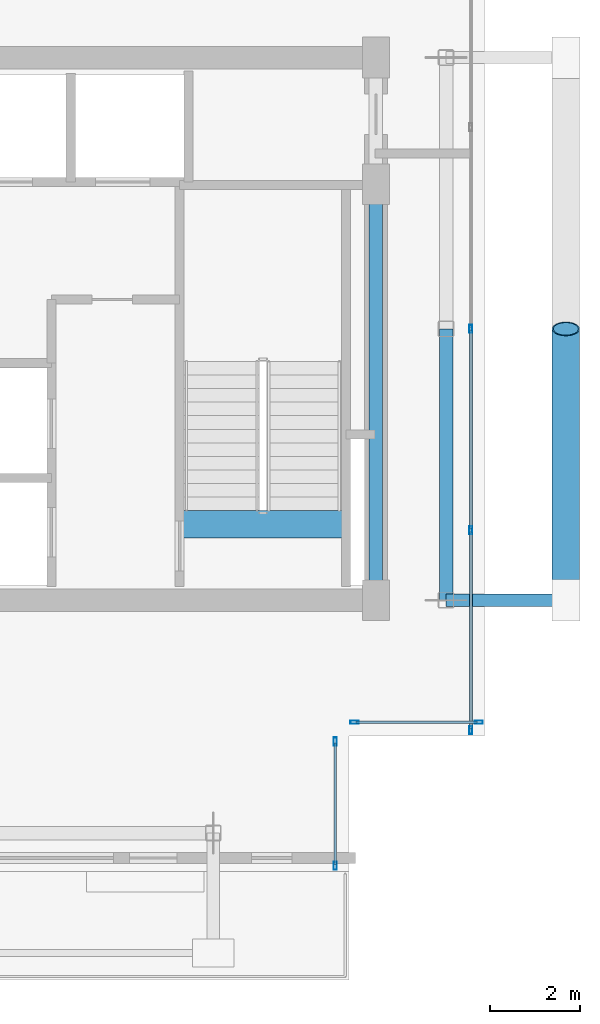
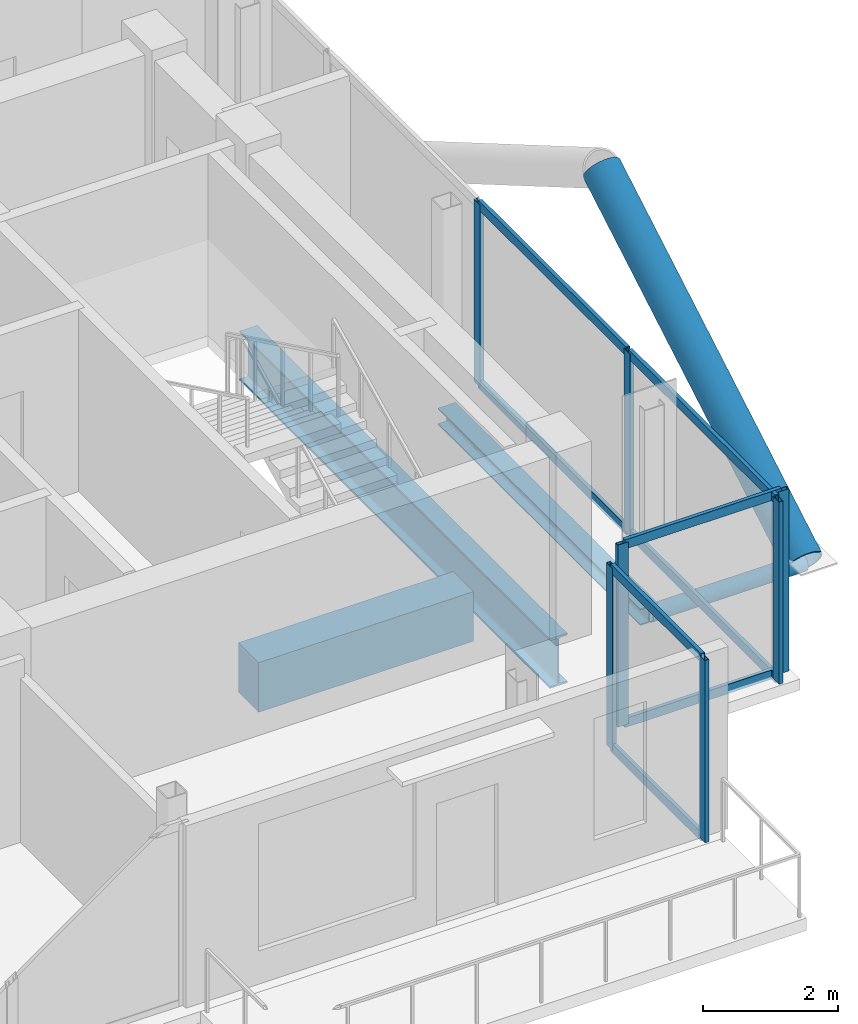
# One storey, part 12 of 19: 17 members, 3 beams, 3 elements without a shape of their own.
"""IFC4 building model written with IfcOpenShell, lengths in metres."""

import ifcopenshell
import ifcopenshell.guid

model = None  # the IFC model being written
_history = None  # IfcOwnerHistory: only IFC2X3 demands one
_inside = {}  # id of a spatial element -> (the spatial element, [elements in it])
_under = {}  # id of a project, library or spatial element -> (it, [spatial elements below it])
_declared = {}  # id of a project -> (the project, [libraries it declares])
_typed = {}  # id of a type object -> (the type object, [elements of that type])
_made_of = {}  # id of a material, layer set ... -> (it, [elements and type objects made of it])


def new_model(schema):
    """Start an empty IFC model of exactly this schema.

    Asked for "IFC4X3", IfcOpenShell would pick the latest addendum, in which some entities
    have other attributes; the version numbers below select the first issue.
    IFC2X3 requires an IfcOwnerHistory on every rooted entity: one is made here for all.
    """
    global model, _history
    if schema == "IFC4X3":
        model = ifcopenshell.file(schema_version=(4, 3, 0, 0))
    else:
        model = ifcopenshell.file(schema=schema)
    _inside.clear()
    _under.clear()
    _declared.clear()
    _typed.clear()
    _made_of.clear()
    _history = None
    if model.schema == "IFC2X3":
        org = make("IfcOrganization", Name="unknown")
        user = make(
            "IfcPersonAndOrganization",
            ThePerson=make("IfcPerson", FamilyName="unknown"),
            TheOrganization=org,
        )
        app = make(
            "IfcApplication",
            ApplicationDeveloper=org,
            Version="unknown",
            ApplicationFullName="unknown",
            ApplicationIdentifier="unknown",
        )
        _history = make(
            "IfcOwnerHistory",
            OwningUser=user,
            OwningApplication=app,
            ChangeAction="ADDED",
            CreationDate=0,
        )
    return model


def make(cls, **values):
    """One entity of the class cls with the attributes given. An attribute that is None is left unset."""
    return model.create_entity(
        cls, **{name: value for name, value in values.items() if value is not None}
    )


def rooted(cls, **values):
    """An entity with a GlobalId (a new one), such as an element, a storey or a relation."""
    return make(cls, GlobalId=ifcopenshell.guid.new(), OwnerHistory=_history, **values)


def si_unit(unit_type, name, prefix=None):
    """IfcSIUnit, for example si_unit("LENGTHUNIT", "METRE", prefix="MILLI")."""
    return make("IfcSIUnit", UnitType=unit_type, Prefix=prefix, Name=name)


def assignment(units):
    """IfcUnitAssignment: the units of a project."""
    return None if units is None else make("IfcUnitAssignment", Units=units)


def point(xyz):
    """IfcCartesianPoint."""
    return None if xyz is None else make("IfcCartesianPoint", Coordinates=xyz)


def direction(xyz):
    """IfcDirection."""
    return None if xyz is None else make("IfcDirection", DirectionRatios=xyz)


def frame(location, z_axis=None, x_axis=None):
    """IfcAxis2Placement3D, a coordinate frame: its origin and axes. An axis left out is left unset."""
    return make(
        "IfcAxis2Placement3D",
        Location=point(location),
        Axis=direction(z_axis),
        RefDirection=direction(x_axis),
    )


def frame_2d(location, x_axis=None):
    """IfcAxis2Placement2D, a coordinate frame in the plane: its origin and x axis."""
    return make(
        "IfcAxis2Placement2D", Location=point(location), RefDirection=direction(x_axis)
    )


def origin():
    """The frame at (0, 0, 0) with its axes left unset."""
    return frame((0.0, 0.0, 0.0))


def origin_2d():
    """The frame at (0, 0) in the plane with its x axis left unset."""
    return frame_2d((0.0, 0.0))


def place(relative_to, where):
    """IfcLocalPlacement: puts the frame where relative to a parent placement (None: the world)."""
    return make(
        "IfcLocalPlacement", PlacementRelTo=relative_to, RelativePlacement=where
    )


def context(
    kind, dimensions, precision=None, world=None, true_north=None, identifier=None
):
    """IfcGeometricRepresentationContext, for example the 3D "Model" context."""
    return make(
        "IfcGeometricRepresentationContext",
        ContextIdentifier=identifier,
        ContextType=kind,
        CoordinateSpaceDimension=dimensions,
        Precision=precision,
        WorldCoordinateSystem=world,
        TrueNorth=true_north,
    )


def subcontext(parent, identifier, kind, view, scale=None):
    """IfcGeometricRepresentationSubContext, for example "Body" below "Model"."""
    return make(
        "IfcGeometricRepresentationSubContext",
        ContextIdentifier=identifier,
        ContextType=kind,
        ParentContext=parent,
        TargetScale=scale,
        TargetView=view,
    )


def project(units=None, contexts=None):
    """IfcProject with its units and contexts."""
    return rooted(
        "IfcProject",
        Name="project",
        RepresentationContexts=contexts,
        UnitsInContext=assignment(units),
    )


def spatial(cls, under=None, at=None, **own):
    """A site, building, storey or space (cls), placed at a placement, below another one or the project."""
    s = rooted(cls, ObjectPlacement=at, **own)
    if under is not None:
        _under.setdefault(under.id(), (under, []))[1].append(s)
    return s


def profile(cls, at=None, kind="AREA", **sizes):
    """A parametric profile (cls). Its sizes go by their IFC names, for example OverallWidth=200.0."""
    return make(cls, ProfileType=kind, Position=at, **sizes)


def rectangle(**sizes):
    """IfcRectangleProfileDef."""
    return profile("IfcRectangleProfileDef", **sizes)


def hollow_rectangle(**sizes):
    """IfcRectangleHollowProfileDef."""
    return profile("IfcRectangleHollowProfileDef", **sizes)


def hollow_circle(**sizes):
    """IfcCircleHollowProfileDef."""
    return profile("IfcCircleHollowProfileDef", **sizes)


def i_section(**sizes):
    """IfcIShapeProfileDef."""
    return profile("IfcIShapeProfileDef", **sizes)


def extrude(swept, where, along, depth):
    """IfcExtrudedAreaSolid: the profile swept, set in the frame where, extruded along a direction by depth."""
    return make(
        "IfcExtrudedAreaSolid",
        SweptArea=swept,
        Position=where,
        ExtrudedDirection=direction(along),
        Depth=depth,
    )


def shape(context_of_items, identifier, shape_type, items):
    """IfcShapeRepresentation: the items that make up one representation, for example the "Body"."""
    return make(
        "IfcShapeRepresentation",
        ContextOfItems=context_of_items,
        RepresentationIdentifier=identifier,
        RepresentationType=shape_type,
        Items=items,
    )


def material(Name=None, Category=None):
    """IfcMaterial."""
    return make("IfcMaterial", Name=Name, Category=Category)


def layer(
    of_material, thickness, ventilated=None, Name=None, Category=None, Priority=None
):
    """IfcMaterialLayer: one layer of a wall or slab, of a material (None: an air gap)."""
    return make(
        "IfcMaterialLayer",
        Material=of_material,
        LayerThickness=thickness,
        IsVentilated=ventilated,
        Name=Name,
        Category=Category,
        Priority=Priority,
    )


def layer_set(layers, Name=None):
    """IfcMaterialLayerSet."""
    return make("IfcMaterialLayerSet", MaterialLayers=layers, LayerSetName=Name)


def material_profile(
    of_material, cross_section, Name=None, Category=None, Priority=None
):
    """IfcMaterialProfile: a cross section and its material."""
    return make(
        "IfcMaterialProfile",
        Name=Name,
        Material=of_material,
        Profile=cross_section,
        Priority=Priority,
        Category=Category,
    )


def profile_set(profiles, Name=None, composite=None):
    """IfcMaterialProfileSet."""
    return make(
        "IfcMaterialProfileSet",
        Name=Name,
        MaterialProfiles=profiles,
        CompositeProfile=composite,
    )


def made_of(thing, what):
    """Note that an element or type object is made of a material, layer set ...; save() writes the relation."""
    if what is not None:
        _made_of.setdefault(what.id(), (what, []))[1].append(thing)
    return thing


def type_object(cls, material=None, **own):
    """A type object (cls), such as IfcWallType, which elements share."""
    return made_of(rooted(cls, **own), material)


def element(
    cls,
    number,
    at=None,
    inside=None,
    cuts=None,
    type_object=None,
    material=None,
    context=None,
    identifier="Body",
    shape_type=None,
    held_by="IfcProductDefinitionShape",
    body=None,
    shapes=None,
    **own,
):
    """One element of the class cls, such as IfcWall. Its Tag is "e" and its number.

    at: its placement. inside: the storey or other place that contains it. cuts: it is an
    opening in that element (IfcRelVoidsElement). A single representation is given by context,
    identifier, shape_type and body (its items); several are given by shapes. held_by: the class
    of the entity that holds the representations. save() writes the other relations.
    """
    e = rooted(cls, Tag="e%d" % number, ObjectPlacement=at, **own)
    if body is not None:
        shapes = [shape(context, identifier, shape_type, body)]
    if shapes is not None:
        e.Representation = make(held_by, Representations=shapes)
    if inside is not None:
        _inside.setdefault(inside.id(), (inside, []))[1].append(e)
    if cuts is not None:
        rooted(
            "IfcRelVoidsElement", RelatingBuildingElement=cuts, RelatedOpeningElement=e
        )
    if type_object is not None:
        _typed.setdefault(type_object.id(), (type_object, []))[1].append(e)
    return made_of(e, material)


def aggregate(whole, parts):
    """IfcRelAggregates: a whole, such as a stair, and the parts it consists of."""
    return rooted("IfcRelAggregates", RelatingObject=whole, RelatedObjects=parts)


def save(model, path):
    """Write the relations noted so far, then the file.

    IfcRelAggregates (storeys below a building ...), IfcRelContainedInSpatialStructure (elements
    in a storey), IfcRelDefinesByType, IfcRelAssociatesMaterial and IfcRelDeclares: one each for
    every whole, place, type object, material and project.
    """
    for whole, parts in _under.values():
        aggregate(whole, parts)
    for where, things in _inside.values():
        rooted(
            "IfcRelContainedInSpatialStructure",
            RelatedElements=things,
            RelatingStructure=where,
        )
    for kind, things in _typed.values():
        rooted("IfcRelDefinesByType", RelatedObjects=things, RelatingType=kind)
    for what, things in _made_of.values():
        rooted("IfcRelAssociatesMaterial", RelatedObjects=things, RelatingMaterial=what)
    for by, libraries in _declared.values():
        rooted("IfcRelDeclares", RelatingContext=by, RelatedDefinitions=libraries)
    model.write(path)


model = new_model("IFC4")

# Units and contexts
model_context = context("Model", 3, precision=1e-05, world=origin(), true_north=direction((0.0, 1.0)))
body_context = subcontext(model_context, "Body", "Model", "MODEL_VIEW")
ifc_project = project(units=[si_unit("LENGTHUNIT", "METRE"), si_unit("AREAUNIT", "SQUARE_METRE"), si_unit("VOLUMEUNIT", "CUBIC_METRE"), si_unit("PLANEANGLEUNIT", "RADIAN"), si_unit("MASSUNIT", "GRAM", prefix="KILO"), si_unit("THERMODYNAMICTEMPERATUREUNIT", "KELVIN"), si_unit("POWERUNIT", "WATT")], contexts=[model_context])

# Site, building, storey
site_placement = place(None, origin())
site = spatial("IfcSite", under=ifc_project, at=site_placement, CompositionType="ELEMENT")
building_placement = place(site_placement, origin())
building = spatial("IfcBuilding", under=site, at=building_placement, Name="Svarakhadi Broadcast Tower", CompositionType="ELEMENT")
storey_placement = place(building_placement, frame((0.0, 0.0, 271.199951171875)))
storey = spatial("IfcBuildingStorey", under=building, at=storey_placement, Name="L68", CompositionType="ELEMENT", Elevation=271.199951171875)

# Curtain wall, members
ifc_material_1 = material(Name="Anodised Bronze Aluminium AA 6063-T6", Category="aluminium")
ifc_layer = layer(ifc_material_1, 0.179931640625)
ifc_layer_set = layer_set([ifc_layer], Name="Anodised Bronze Aluminium AA 6063-T6")
curtain_wall_type = type_object("IfcCurtainWallType", Name="CW_Sys_05", PredefinedType="NOTDEFINED", material=ifc_layer_set)
curtain_wall_1_placement = place(storey_placement, origin())
curtain_wall_1 = element("IfcCurtainWall", 1, at=curtain_wall_1_placement, inside=storey, type_object=curtain_wall_type, Name="L68 Unitised Facade Curtain Wall 12", PredefinedType="NOTDEFINED")
ifc_material_profile_1 = material_profile(ifc_material_1, hollow_rectangle(XDim=0.070068359375, YDim=0.179931640625, WallThickness=0.005615234375, at=origin_2d()), Name="ALU MULLION 180x70x6")
ifc_profile_set_1 = profile_set([ifc_material_profile_1], Name="Anodised Bronze Aluminium AA 6063-T6")
member_type_1 = type_object("IfcMemberType", Name="CW_Sys_05_Mul", PredefinedType="MULLION", material=ifc_profile_set_1)
member_1_placement = place(storey_placement, frame((35.699951171875, 12.0, 0.0), z_axis=(0.0, 0.0, 1.0), x_axis=(1.0, 0.0, 0.0)))
member_1 = element("IfcMember", 2, at=member_1_placement, type_object=member_type_1, Name="CW-05 mullion 3", PredefinedType="MULLION", context=body_context, shape_type="SweptSolid", body=[
    extrude(hollow_rectangle(XDim=0.070068359375, YDim=0.179931640625, WallThickness=0.005615234375, at=origin_2d()), origin(), (0.0, 0.0, 1.0), 3.300048828125),
])
member_2_placement = place(storey_placement, frame((35.699951171875, 7.544921875, 0.0), z_axis=(0.0, 0.0, 1.0), x_axis=(1.0, 0.0, 0.0)))
member_2 = element("IfcMember", 3, at=member_2_placement, type_object=member_type_1, Name="CW-05 mullion 4", PredefinedType="MULLION", context=body_context, shape_type="SweptSolid", body=[
    extrude(hollow_rectangle(XDim=0.070068359375, YDim=0.179931640625, WallThickness=0.005615234375, at=origin_2d()), origin(), (0.0, 0.0, 1.0), 3.300048828125),
])
member_3_placement = place(storey_placement, frame((35.699951171875, 3.125, 0.0), z_axis=(0.0, 0.0, 1.0), x_axis=(1.0, 0.0, 0.0)))
member_3 = element("IfcMember", 4, at=member_3_placement, type_object=member_type_1, Name="CW-05 mullion 5", PredefinedType="MULLION", context=body_context, shape_type="SweptSolid", body=[
    extrude(hollow_rectangle(XDim=0.070068359375, YDim=0.179931640625, WallThickness=0.005615234375, at=origin_2d()), origin(), (0.0, 0.0, 1.0), 3.300048828125),
])

curtain_wall_2_placement = place(storey_placement, origin())
curtain_wall_2 = element("IfcCurtainWall", 5, at=curtain_wall_2_placement, inside=storey, type_object=curtain_wall_type, Name="L68 Unitised Facade Curtain Wall 13", PredefinedType="NOTDEFINED")
member_4_placement = place(storey_placement, frame((35.875, 3.300048828125, 0.0), z_axis=(0.0, 0.0, 1.0), x_axis=(0.0, -1.0, 0.0)))
member_4 = element("IfcMember", 6, at=member_4_placement, type_object=member_type_1, Name="CW-05 mullion 1", PredefinedType="MULLION", context=body_context, shape_type="SweptSolid", body=[
    extrude(hollow_rectangle(XDim=0.070068359375, YDim=0.179931640625, WallThickness=0.005615234375, at=origin_2d()), origin(), (0.0, 0.0, 1.0), 3.300048828125),
])
member_5_placement = place(storey_placement, frame((33.125, 3.300048828125, 0.0), z_axis=(0.0, 0.0, 1.0), x_axis=(0.0, -1.0, 0.0)))
member_5 = element("IfcMember", 7, at=member_5_placement, type_object=member_type_1, Name="CW-05 mullion 2", PredefinedType="MULLION", context=body_context, shape_type="SweptSolid", body=[
    extrude(hollow_rectangle(XDim=0.070068359375, YDim=0.179931640625, WallThickness=0.005615234375, at=origin_2d()), origin(), (0.0, 0.0, 1.0), 3.300048828125),
])

curtain_wall_3_placement = place(storey_placement, origin())
curtain_wall_3 = element("IfcCurtainWall", 8, at=curtain_wall_3_placement, inside=storey, type_object=curtain_wall_type, Name="L68 Unitised Facade Curtain Wall 14", PredefinedType="NOTDEFINED")
member_6_placement = place(storey_placement, frame((32.699951171875, 2.875, 0.0), z_axis=(0.0, 0.0, 1.0), x_axis=(1.0, 0.0, 0.0)))
member_6 = element("IfcMember", 9, at=member_6_placement, type_object=member_type_1, Name="CW-05 mullion 1", PredefinedType="MULLION", context=body_context, shape_type="SweptSolid", body=[
    extrude(hollow_rectangle(XDim=0.070068359375, YDim=0.179931640625, WallThickness=0.005615234375, at=origin_2d()), origin(), (0.0, 0.0, 1.0), 3.300048828125),
])
member_7_placement = place(storey_placement, frame((32.699951171875, 0.125, 0.0), z_axis=(0.0, 0.0, 1.0), x_axis=(1.0, 0.0, 0.0)))
member_7 = element("IfcMember", 10, at=member_7_placement, type_object=member_type_1, Name="CW-05 mullion 2", PredefinedType="MULLION", context=body_context, shape_type="SweptSolid", body=[
    extrude(hollow_rectangle(XDim=0.070068359375, YDim=0.179931640625, WallThickness=0.005615234375, at=origin_2d()), origin(), (0.0, 0.0, 1.0), 3.300048828125),
])

# Member
ifc_material_profile_2 = material_profile(ifc_material_1, hollow_rectangle(XDim=0.06494140625, YDim=0.1650390625, WallThickness=0.0048828125, at=origin_2d()), Name="ALU TRANSOM 165x65x5")
ifc_profile_set_2 = profile_set([ifc_material_profile_2], Name="Anodised Bronze Aluminium AA 6063-T6")
member_type_2 = type_object("IfcMemberType", Name="CW_Sys_05_Trn", PredefinedType="USERDEFINED", material=ifc_profile_set_2)
member_8_placement = place(storey_placement, frame((35.699951171875, 11.965087890625, 0.032470703125), z_axis=(0.0, -1.0, 0.0), x_axis=(1.0, 0.0, 0.0)))
member_8 = element("IfcMember", 11, at=member_8_placement, type_object=member_type_2, Name="CW-05 transom 3.1", ObjectType="TRANSOM", PredefinedType="USERDEFINED", context=body_context, shape_type="SweptSolid", body=[
    extrude(hollow_rectangle(XDim=0.06494140625, YDim=0.1650390625, WallThickness=0.0048828125, at=origin_2d()), origin(), (0.0, 0.0, 1.0), 4.385009765625),
])

member_9_placement = place(storey_placement, frame((35.699951171875, 11.965087890625, 3.267578125), z_axis=(0.0, -1.0, 0.0), x_axis=(1.0, 0.0, 0.0)))
member_9 = element("IfcMember", 12, at=member_9_placement, type_object=member_type_2, Name="CW-05 transom 3.2", ObjectType="TRANSOM", PredefinedType="USERDEFINED", context=body_context, shape_type="SweptSolid", body=[
    extrude(hollow_rectangle(XDim=0.06494140625, YDim=0.1650390625, WallThickness=0.0048828125, at=origin_2d()), origin(), (0.0, 0.0, 1.0), 4.385009765625),
])

member_10_placement = place(storey_placement, frame((35.699951171875, 7.510009765625, 0.032470703125), z_axis=(0.0, -1.0, 0.0), x_axis=(1.0, 0.0, 0.0)))
member_10 = element("IfcMember", 13, at=member_10_placement, type_object=member_type_2, Name="CW-05 transom 4.1", ObjectType="TRANSOM", PredefinedType="USERDEFINED", context=body_context, shape_type="SweptSolid", body=[
    extrude(hollow_rectangle(XDim=0.06494140625, YDim=0.1650390625, WallThickness=0.0048828125, at=origin_2d()), origin(), (0.0, 0.0, 1.0), 4.35009765625),
])

member_11_placement = place(storey_placement, frame((35.699951171875, 7.510009765625, 3.267578125), z_axis=(0.0, -1.0, 0.0), x_axis=(1.0, 0.0, 0.0)))
member_11 = element("IfcMember", 14, at=member_11_placement, type_object=member_type_2, Name="CW-05 transom 4.2", ObjectType="TRANSOM", PredefinedType="USERDEFINED", context=body_context, shape_type="SweptSolid", body=[
    extrude(hollow_rectangle(XDim=0.06494140625, YDim=0.1650390625, WallThickness=0.0048828125, at=origin_2d()), origin(), (0.0, 0.0, 1.0), 4.35009765625),
])

aggregate(curtain_wall_1, [member_1, member_2, member_3, member_8, member_9, member_10, member_11])

member_12_placement = place(storey_placement, frame((35.840087890625, 3.300048828125, 0.032470703125), z_axis=(-1.0, 0.0, 0.0), x_axis=(0.0, -1.0, 0.0)))
member_12 = element("IfcMember", 15, at=member_12_placement, type_object=member_type_2, Name="CW-05 transom 1.1", ObjectType="TRANSOM", PredefinedType="USERDEFINED", context=body_context, shape_type="SweptSolid", body=[
    extrude(hollow_rectangle(XDim=0.06494140625, YDim=0.1650390625, WallThickness=0.0048828125, at=origin_2d()), origin(), (0.0, 0.0, 1.0), 2.68017578125),
])

member_13_placement = place(storey_placement, frame((35.840087890625, 3.300048828125, 3.267578125), z_axis=(-1.0, 0.0, 0.0), x_axis=(0.0, -1.0, 0.0)))
member_13 = element("IfcMember", 16, at=member_13_placement, type_object=member_type_2, Name="CW-05 transom 1.2", ObjectType="TRANSOM", PredefinedType="USERDEFINED", context=body_context, shape_type="SweptSolid", body=[
    extrude(hollow_rectangle(XDim=0.06494140625, YDim=0.1650390625, WallThickness=0.0048828125, at=origin_2d()), origin(), (0.0, 0.0, 1.0), 2.68017578125),
])

aggregate(curtain_wall_2, [member_4, member_5, member_12, member_13])

member_14_placement = place(storey_placement, frame((32.699951171875, 2.840087890625, 0.032470703125), z_axis=(0.0, -1.0, 0.0), x_axis=(1.0, 0.0, 0.0)))
member_14 = element("IfcMember", 17, at=member_14_placement, type_object=member_type_2, Name="CW-05 transom 1.1", ObjectType="TRANSOM", PredefinedType="USERDEFINED", context=body_context, shape_type="SweptSolid", body=[
    extrude(hollow_rectangle(XDim=0.06494140625, YDim=0.1650390625, WallThickness=0.0048828125, at=origin_2d()), origin(), (0.0, 0.0, 1.0), 2.68017578125),
])

member_15_placement = place(storey_placement, frame((32.699951171875, 2.840087890625, 3.267578125), z_axis=(0.0, -1.0, 0.0), x_axis=(1.0, 0.0, 0.0)))
member_15 = element("IfcMember", 18, at=member_15_placement, type_object=member_type_2, Name="CW-05 transom 1.2", ObjectType="TRANSOM", PredefinedType="USERDEFINED", context=body_context, shape_type="SweptSolid", body=[
    extrude(hollow_rectangle(XDim=0.06494140625, YDim=0.1650390625, WallThickness=0.0048828125, at=origin_2d()), origin(), (0.0, 0.0, 1.0), 2.68017578125),
])

aggregate(curtain_wall_3, [member_6, member_7, member_14, member_15])

# Beam
ifc_material_2 = material(Name="Concrete C50/60 (IS 456 M60)", Category="concrete")
ifc_material_profile_3 = material_profile(ifc_material_2, rectangle(XDim=0.60009765625, YDim=0.89990234375, at=origin_2d()), Name="RC 600x900")
ifc_profile_set_3 = profile_set([ifc_material_profile_3], Name="Concrete C50/60 (IS 456 M60)")
beam_type_1 = type_object("IfcBeamType", Name="Coupling_RC600", PredefinedType="USERDEFINED", material=ifc_profile_set_3)
beam_1_placement = place(storey_placement, frame((29.260009765625, 7.679931640625, -0.449951171875), z_axis=(1.0, 0.0, 0.0), x_axis=(0.0, 1.0, 0.0)))
element("IfcBeam", 19, at=beam_1_placement, inside=storey, type_object=beam_type_1, Name="L68 Stair ST-02 Landing Throat Trimmer Beam CB-01", ObjectType="GIRDER", PredefinedType="USERDEFINED", context=body_context, shape_type="SweptSolid", body=[
    extrude(rectangle(XDim=0.60009765625, YDim=0.89990234375, at=origin_2d()), origin(), (0.0, 0.0, 1.0), 3.679931640625),
])

# Members
ifc_material_3 = material(Name="Steel S460ML (IS 2062 E450BR)", Category="steel")
ifc_material_profile_4 = material_profile(ifc_material_3, hollow_circle(Radius=0.304931640625, WallThickness=0.030029296875, at=origin_2d()), Name="CHS 610x30")
ifc_profile_set_4 = profile_set([ifc_material_profile_4], Name="Steel S460ML (IS 2062 E450BR)")
member_type_3 = type_object("IfcMemberType", Name="Exo_Brace_CHS610", PredefinedType="BRACE", material=ifc_profile_set_4)
member_16_placement = place(storey_placement, frame((37.800048828125, 6.0, -0.33642578125), z_axis=(0.0, 0.863778900898, 0.503871025524), x_axis=(-1.0, 0.0, 0.0)))
element("IfcMember", 20, at=member_16_placement, inside=storey, type_object=member_type_3, Name="L68 Exposed Bronze Exoskeleton Diagonal E04", PredefinedType="BRACE", context=body_context, shape_type="SweptSolid", body=[
    extrude(hollow_circle(Radius=0.304931640625, WallThickness=0.030029296875, at=origin_2d()), origin(), (0.0, 0.0, 1.0), 6.9462890625),
])
ifc_material_profile_5 = material_profile(ifc_material_3, hollow_circle(Radius=0.136474609375, WallThickness=0.012451171875, at=origin_2d()), Name="CHS 273x12.5")
ifc_profile_set_5 = profile_set([ifc_material_profile_5], Name="Steel S460ML (IS 2062 E450BR)")
member_type_4 = type_object("IfcMemberType", Name="Exo_Radial_Strut_Z3", PredefinedType="STRUT", material=ifc_profile_set_5)
member_17_placement = place(storey_placement, frame((37.800048828125, 6.0, -0.33642578125), z_axis=(-1.0, 0.0, 0.0), x_axis=(0.0, -1.0, 0.0)))
element("IfcMember", 21, at=member_17_placement, inside=storey, type_object=member_type_4, Name="L68 Exoskeleton Radial Tie Strut E05", PredefinedType="STRUT", context=body_context, shape_type="SweptSolid", body=[
    extrude(hollow_circle(Radius=0.136474609375, WallThickness=0.012451171875, at=origin_2d()), origin(), (0.0, 0.0, 1.0), 2.650146484375),
])

# Beams
ifc_material_4 = material(Name="Steel S355J2 (IS 2062 E350C)", Category="steel")
ifc_material_profile_6 = material_profile(ifc_material_4, i_section(OverallWidth=0.300048828125, OverallDepth=0.300048828125, WebThickness=0.010986328125, FlangeThickness=0.01904296875, FilletRadius=0.027099609375, at=origin_2d()), Name="WPB 300x300x117")
ifc_profile_set_6 = profile_set([ifc_material_profile_6], Name="Steel S355J2 (IS 2062 E350C)")
beam_type_2 = type_object("IfcBeamType", Name="Girder_WPB300", PredefinedType="USERDEFINED", material=ifc_profile_set_6)
beam_2_placement = place(storey_placement, frame((35.14990234375, 6.0, -0.349853515625), z_axis=(0.0, 1.0, 0.0), x_axis=(-1.0, 0.0, 0.0)))
element("IfcBeam", 22, at=beam_2_placement, inside=storey, type_object=beam_type_2, Name="L68 Primary N-S Girder G045", ObjectType="GIRDER", PredefinedType="USERDEFINED", context=body_context, shape_type="SweptSolid", body=[
    extrude(i_section(OverallWidth=0.300048828125, OverallDepth=0.300048828125, WebThickness=0.010986328125, FlangeThickness=0.01904296875, FilletRadius=0.027099609375, at=origin_2d()), origin(), (0.0, 0.0, 1.0), 6.0),
])
ifc_material_profile_7 = material_profile(ifc_material_3, i_section(OverallWidth=0.300048828125, OverallDepth=0.89990234375, WebThickness=0.0185546875, FlangeThickness=0.034912109375, FilletRadius=0.030029296875, at=origin_2d()), Name="WPB 900x300x291")
ifc_profile_set_7 = profile_set([ifc_material_profile_7], Name="Steel S460ML (IS 2062 E450BR)")
beam_type_3 = type_object("IfcBeamType", Name="Girder_WPB900", PredefinedType="USERDEFINED", material=ifc_profile_set_7)
beam_3_placement = place(storey_placement, frame((33.60009765625, 6.0, -0.64990234375), z_axis=(0.0, 1.0, 0.0), x_axis=(-1.0, 0.0, 0.0)))
element("IfcBeam", 23, at=beam_3_placement, inside=storey, type_object=beam_type_3, Name="L68 Primary N-S Girder G043", ObjectType="GIRDER", PredefinedType="USERDEFINED", context=body_context, shape_type="SweptSolid", body=[
    extrude(i_section(OverallWidth=0.300048828125, OverallDepth=0.89990234375, WebThickness=0.0185546875, FlangeThickness=0.034912109375, FilletRadius=0.030029296875, at=origin_2d()), origin(), (0.0, 0.0, 1.0), 9.199951171875),
])

save(model, "model.ifc")
